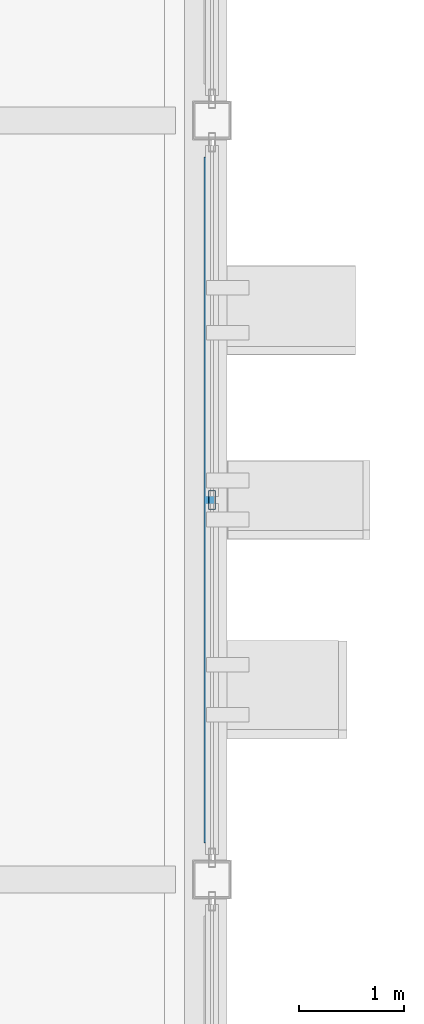
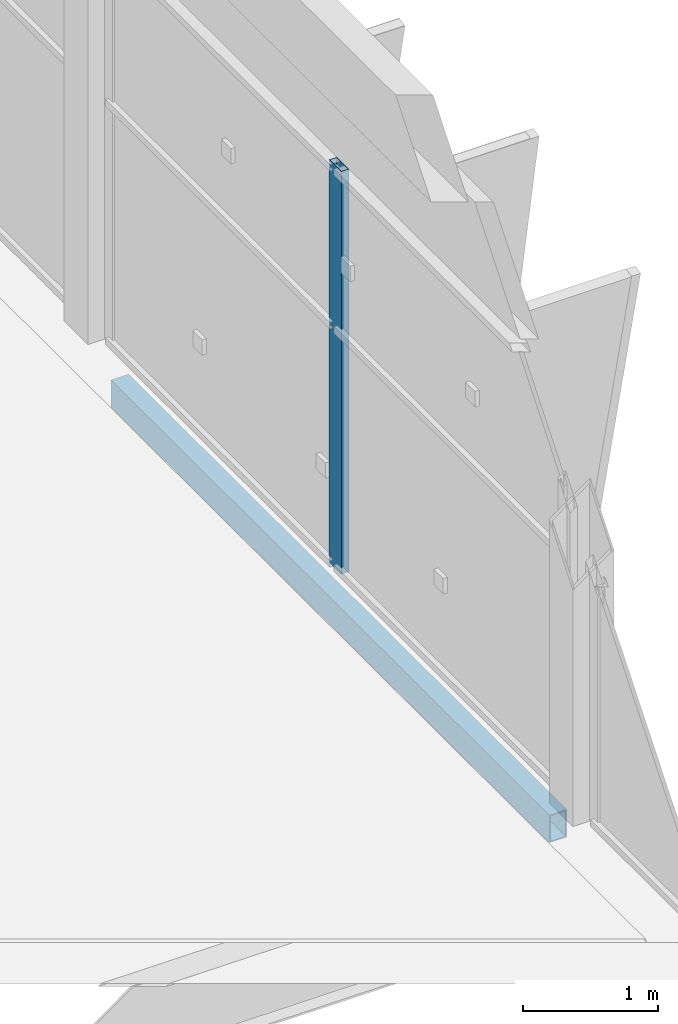
# One storey, part 55 of 124: 1 beam, 1 member, 1 element without a shape of its own.
"""IFC4 building model written with IfcOpenShell, lengths in metres."""

from ifc_helpers import new_model, si_unit, direction, frame, origin, origin_2d, place, context, subcontext, project, spatial, hollow_rectangle, extrude, material, layer, layer_set, material_profile, profile_set, type_object, element, aggregate, save


model = new_model("IFC4")

# Units and contexts
model_context = context("Model", 3, precision=1e-05, world=origin(), true_north=direction((0.0, 1.0)))
body_context = subcontext(model_context, "Body", "Model", "MODEL_VIEW")
ifc_project = project(units=[si_unit("LENGTHUNIT", "METRE"), si_unit("AREAUNIT", "SQUARE_METRE"), si_unit("VOLUMEUNIT", "CUBIC_METRE"), si_unit("PLANEANGLEUNIT", "RADIAN"), si_unit("MASSUNIT", "GRAM", prefix="KILO")], contexts=[model_context])

# Site, building, storey
site_placement = place(None, origin())
site = spatial("IfcSite", under=ifc_project, at=site_placement, CompositionType="ELEMENT")
building_placement = place(site_placement, origin())
building = spatial("IfcBuilding", under=site, at=building_placement, Name="Celestram Park Convention Centre", CompositionType="ELEMENT")
storey_placement = place(building_placement, frame((0.0, 0.0, 15.300048828125)))
storey = spatial("IfcBuildingStorey", under=building, at=storey_placement, Name="L03", CompositionType="ELEMENT", Elevation=15.300048828125)

# Curtain wall, member
ifc_material_1 = material(Name="Anodised Aluminium Alloy 6063-T6", Category="aluminium")
ifc_layer = layer(ifc_material_1, 0.179931640625)
ifc_layer_set = layer_set([ifc_layer], Name="Anodised Aluminium Alloy 6063-T6")
curtain_wall_type = type_object("IfcCurtainWallType", Name="ARC-CW-685X365", PredefinedType="NOTDEFINED", material=ifc_layer_set)
curtain_wall_placement = place(storey_placement, origin())
curtain_wall = element("IfcCurtainWall", 1, at=curtain_wall_placement, inside=storey, type_object=curtain_wall_type, Name="Unitised curtain wall CU-L03-218", PredefinedType="NOTDEFINED")
ifc_material_profile_1 = material_profile(ifc_material_1, hollow_rectangle(XDim=0.06494140625, YDim=0.179931640625, WallThickness=0.00390625, at=origin_2d()), Name="ALU65X180X4")
ifc_profile_set_1 = profile_set([ifc_material_profile_1], Name="Anodised Aluminium Alloy 6063-T6")
member_type = type_object("IfcMemberType", Name="ARC-CWM-150", PredefinedType="MULLION", material=ifc_profile_set_1)
member_placement = place(storey_placement, frame((144.0, 111.60009765625, 0.0), z_axis=(0.0, 0.0, 1.0), x_axis=(1.0, 0.0, 0.0)))
member = element("IfcMember", 2, at=member_placement, type_object=member_type, Name="CW-68X36 mullion 2", PredefinedType="MULLION", context=body_context, shape_type="SweptSolid", body=[
    extrude(hollow_rectangle(XDim=0.06494140625, YDim=0.179931640625, WallThickness=0.00390625, at=origin_2d()), origin(), (0.0, 0.0, 1.0), 3.64794921875),
])
aggregate(curtain_wall, [member])

# Beam
ifc_material_2 = material(Name="Steel ASTM A500 Grade C", Category="steel")
ifc_material_profile_2 = material_profile(ifc_material_2, hollow_rectangle(XDim=0.14990234375, YDim=0.25, WallThickness=0.010009765625, at=origin_2d()), Name="HSS250X150X10")
ifc_profile_set_2 = profile_set([ifc_material_profile_2], Name="Steel ASTM A500 Grade C")
beam_type = type_object("IfcBeamType", Name="STR-SPN-HSS250X150", PredefinedType="SPANDREL", material=ifc_profile_set_2)
beam_placement = place(storey_placement, frame((144.0, 108.347900390625, -0.375), z_axis=(0.0, 1.0, 0.0), x_axis=(-1.0, 0.0, 0.0)))
element("IfcBeam", 3, at=beam_placement, inside=storey, type_object=beam_type, Name="Primary Y-girder BG-L03-0233", PredefinedType="SPANDREL", context=body_context, shape_type="SweptSolid", body=[
    extrude(hollow_rectangle(XDim=0.14990234375, YDim=0.25, WallThickness=0.010009765625, at=origin_2d()), origin(), (0.0, 0.0, 1.0), 6.504150390625),
])

save(model, "model.ifc")
